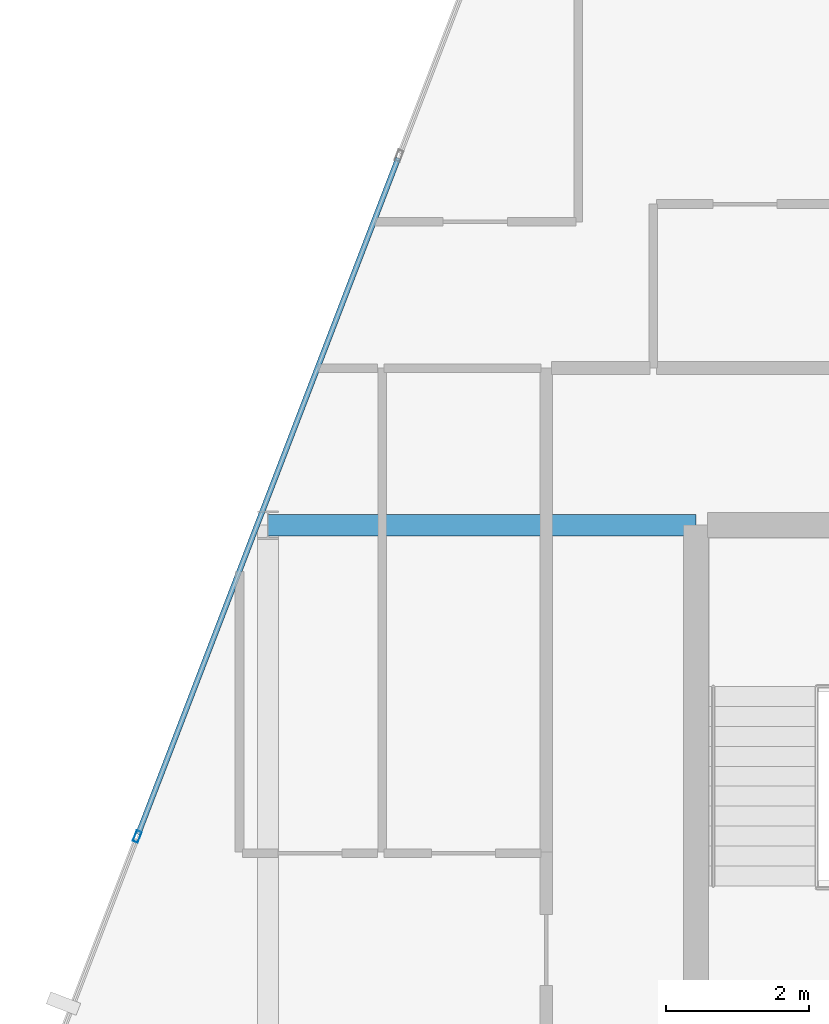
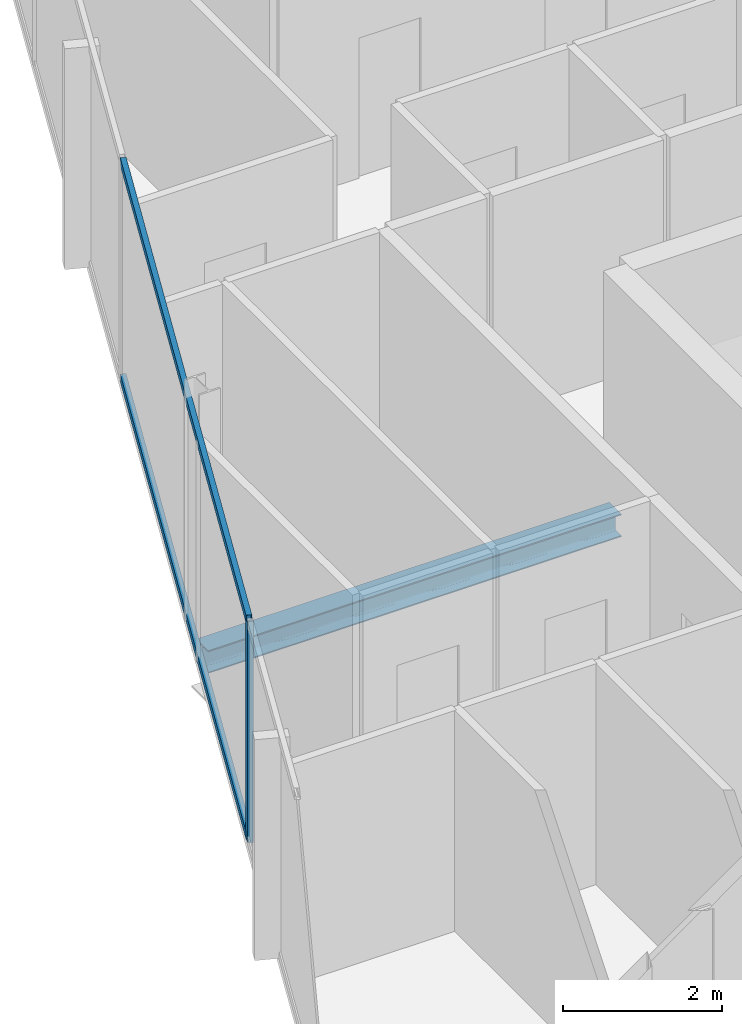
# One storey, part 10 of 27: 3 members, 1 beam, 1 element without a shape of its own.
"""IFC4 building model written with IfcOpenShell, lengths in metres."""

from ifc_helpers import new_model, si_unit, direction, frame, origin, origin_2d, place, context, subcontext, project, spatial, hollow_rectangle, i_section, extrude, material, layer, layer_set, material_profile, profile_set, type_object, element, aggregate, save


model = new_model("IFC4")

# Units and contexts
model_context = context("Model", 3, precision=1e-05, world=origin(), true_north=direction((0.0, 1.0)))
body_context = subcontext(model_context, "Body", "Model", "MODEL_VIEW")
ifc_project = project(units=[si_unit("LENGTHUNIT", "METRE"), si_unit("AREAUNIT", "SQUARE_METRE"), si_unit("VOLUMEUNIT", "CUBIC_METRE"), si_unit("PLANEANGLEUNIT", "RADIAN"), si_unit("MASSUNIT", "GRAM", prefix="KILO")], contexts=[model_context])

# Site, building, storey
site_placement = place(None, origin())
site = spatial("IfcSite", under=ifc_project, at=site_placement, CompositionType="ELEMENT")
building_placement = place(site_placement, origin())
building = spatial("IfcBuilding", under=site, at=building_placement, Name="Keshet Zoharim Tower", CompositionType="ELEMENT")
storey_placement = place(building_placement, frame((0.0, 0.0, 273.199951171875)))
storey = spatial("IfcBuildingStorey", under=building, at=storey_placement, Name="L68", CompositionType="ELEMENT", Elevation=273.199951171875)

# Beam
ifc_material_1 = material(Name="Steel S355", Category="steel")
ifc_material_profile_1 = material_profile(ifc_material_1, i_section(OverallWidth=0.300048828125, OverallDepth=0.35009765625, WebThickness=0.010009765625, FlangeThickness=0.017578125, FilletRadius=0.027099609375, at=origin_2d()), Name="HEA360")
ifc_profile_set_1 = profile_set([ifc_material_profile_1], Name="Steel S355")
beam_type = type_object("IfcBeamType", Name="BM-PRI-HA360", PredefinedType="BEAM", material=ifc_profile_set_1)
beam_placement = place(storey_placement, frame((9.0, 37.89990234375, -0.48486328125), z_axis=(1.0, 0.0, 0.0), x_axis=(0.0, 1.0, 0.0)))
element("IfcBeam", 1, at=beam_placement, inside=storey, type_object=beam_type, Name="L68 Primary Girder X-008", PredefinedType="BEAM", context=body_context, shape_type="SweptSolid", body=[
    extrude(i_section(OverallWidth=0.300048828125, OverallDepth=0.35009765625, WebThickness=0.010009765625, FlangeThickness=0.017578125, FilletRadius=0.027099609375, at=origin_2d()), origin(), (0.0, 0.0, 1.0), 6.0),
])

# Curtain wall, members
ifc_material_2 = material(Name="Aluminium 6063-T6", Category="aluminium")
ifc_layer = layer(ifc_material_2, 0.260009765625)
ifc_layer_set = layer_set([ifc_layer], Name="Aluminium 6063-T6")
curtain_wall_type = type_object("IfcCurtainWallType", Name="CW-SYS-06", PredefinedType="NOTDEFINED", material=ifc_layer_set)
curtain_wall_placement = place(storey_placement, origin())
curtain_wall = element("IfcCurtainWall", 2, at=curtain_wall_placement, inside=storey, type_object=curtain_wall_type, Name="L68 Unitised Curtain Wall 03", PredefinedType="NOTDEFINED")
ifc_material_profile_2 = material_profile(ifc_material_2, hollow_rectangle(XDim=0.074951171875, YDim=0.159912109375, WallThickness=0.00390625, at=origin_2d()), Name="MUL-75x160")
ifc_profile_set_2 = profile_set([ifc_material_profile_2], Name="Aluminium 6063-T6")
member_type_1 = type_object("IfcMemberType", Name="CWM-M15", PredefinedType="MULLION", material=ifc_profile_set_2)
member_1_placement = place(storey_placement, frame((7.1669921875, 33.53466796875, 0.0), z_axis=(0.0, 0.0, 1.0), x_axis=(-0.933341404361, 0.358990003907, 0.0)))
member_1 = element("IfcMember", 3, at=member_1_placement, type_object=member_type_1, Name="CW-06 mullion 2", PredefinedType="MULLION", context=body_context, shape_type="SweptSolid", body=[
    extrude(hollow_rectangle(XDim=0.074951171875, YDim=0.159912109375, WallThickness=0.00390625, at=origin_2d()), origin(), (0.0, 0.0, 1.0), 3.39013671875),
])
ifc_material_profile_3 = material_profile(ifc_material_2, hollow_rectangle(XDim=0.074951171875, YDim=0.1201171875, WallThickness=0.00390625, at=origin_2d()), Name="TRN-75x120")
ifc_profile_set_3 = profile_set([ifc_material_profile_3], Name="Aluminium 6063-T6")
member_type_2 = type_object("IfcMemberType", Name="CWT-T12", PredefinedType="USERDEFINED", material=ifc_profile_set_3)
member_2_placement = place(storey_placement, frame((7.179443359375, 33.5673828125, 0.03515625), z_axis=(0.359003248899, 0.933336309848, 0.0), x_axis=(-0.933336309848, 0.359003248899, 0.0)))
member_2 = element("IfcMember", 4, at=member_2_placement, type_object=member_type_2, Name="CW-06 transom 2.1", ObjectType="TRANSOM", PredefinedType="USERDEFINED", context=body_context, shape_type="SweptSolid", body=[
    extrude(hollow_rectangle(XDim=0.074951171875, YDim=0.1201171875, WallThickness=0.00390625, at=origin_2d()), origin(), (0.0, 0.0, 1.0), 10.153076171875),
])
member_3_placement = place(storey_placement, frame((7.179443359375, 33.5673828125, 3.35498046875), z_axis=(0.359003248899, 0.933336309848, 0.0), x_axis=(-0.933336309848, 0.359003248899, 0.0)))
member_3 = element("IfcMember", 5, at=member_3_placement, type_object=member_type_2, Name="CW-06 transom 2.2", ObjectType="TRANSOM", PredefinedType="USERDEFINED", context=body_context, shape_type="SweptSolid", body=[
    extrude(hollow_rectangle(XDim=0.074951171875, YDim=0.1201171875, WallThickness=0.00390625, at=origin_2d()), origin(), (0.0, 0.0, 1.0), 10.153076171875),
])
aggregate(curtain_wall, [member_1, member_2, member_3])

save(model, "model.ifc")
